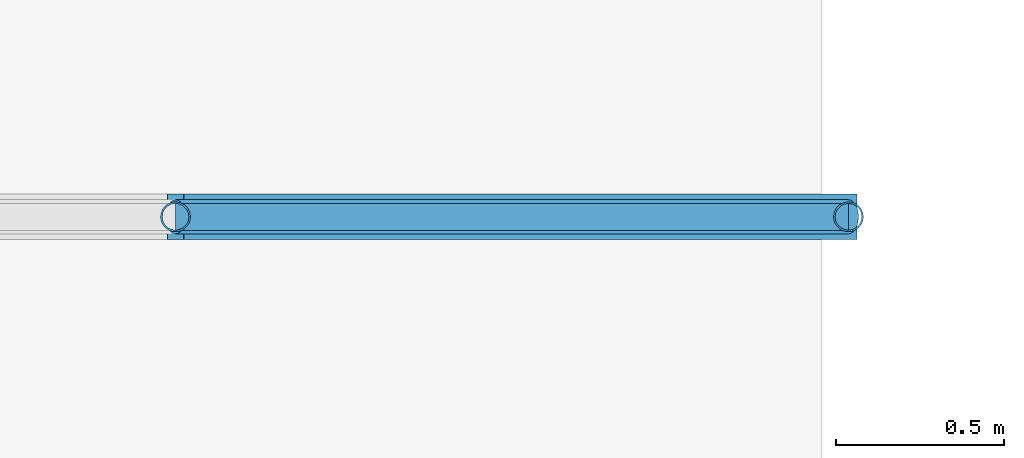
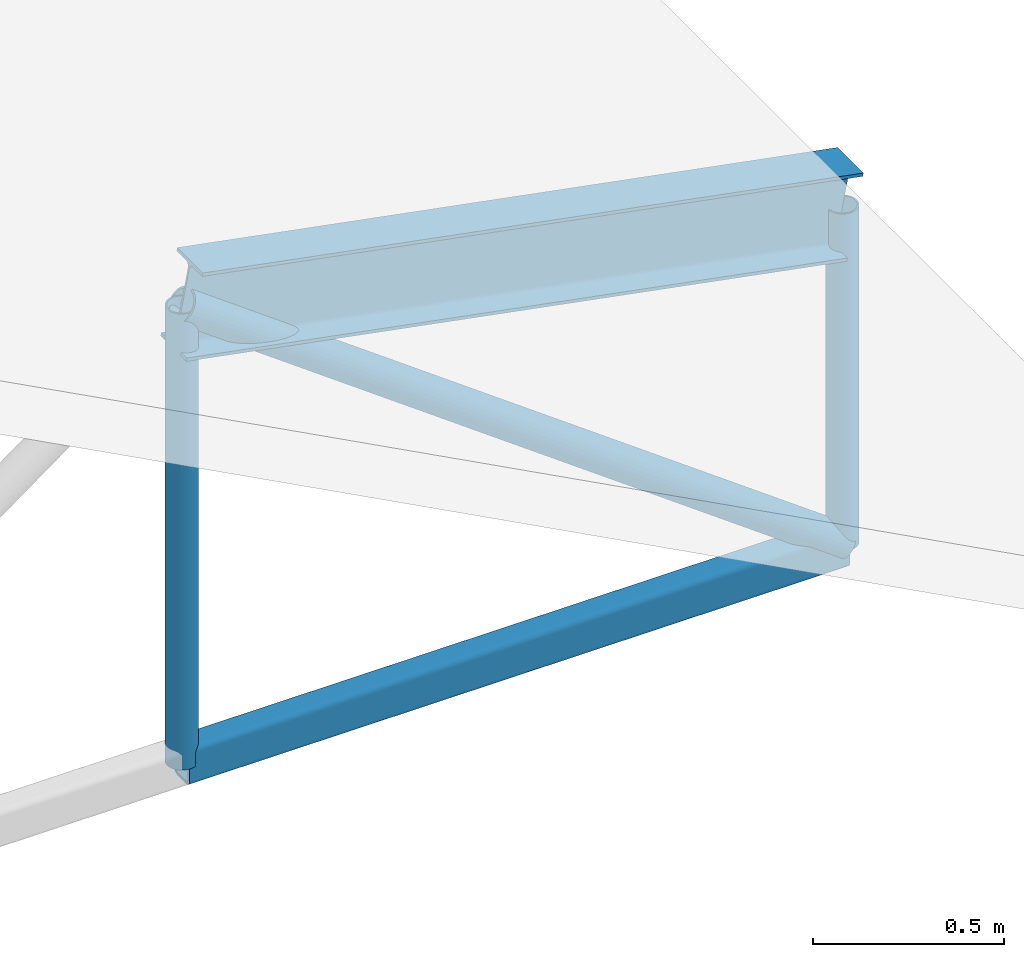
# One storey, part 26 of 54: 5 members.
"""IFC4 building model written with IfcOpenShell, lengths in metres."""

from ifc_helpers import new_model, si_unit, derived_unit, direction, frame, origin, origin_2d, place, context, subcontext, project, spatial, hollow_rectangle, hollow_circle, i_section, extrude, material, material_profile, profile_set, type_object, element, save


model = new_model("IFC4")

# Units and contexts
model_context = context("Model", 3, precision=1e-05, world=origin(), true_north=direction((0.0, 1.0)))
body_context = subcontext(model_context, "Body", "Model", "MODEL_VIEW")
ifc_project = project(units=[si_unit("LENGTHUNIT", "METRE"), si_unit("AREAUNIT", "SQUARE_METRE"), si_unit("VOLUMEUNIT", "CUBIC_METRE"), si_unit("PLANEANGLEUNIT", "RADIAN"), si_unit("MASSUNIT", "GRAM", prefix="KILO"), derived_unit("THERMALTRANSMITTANCEUNIT", [(si_unit("POWERUNIT", "WATT"), 1), (si_unit("LENGTHUNIT", "METRE"), -2), (si_unit("THERMODYNAMICTEMPERATUREUNIT", "KELVIN"), -1)])], contexts=[model_context])

# Site, building, storey
site_placement = place(None, origin())
site = spatial("IfcSite", under=ifc_project, at=site_placement, CompositionType="ELEMENT")
building_placement = place(site_placement, origin())
building = spatial("IfcBuilding", under=site, at=building_placement, Name="Keldorne Ridge Multi-Sports Centre", CompositionType="ELEMENT")
storey_placement = place(building_placement, frame((0.0, 0.0, 22.199951171875)))
storey = spatial("IfcBuildingStorey", under=building, at=storey_placement, Name="ROOF", CompositionType="ELEMENT", Elevation=22.199951171875)

# Members
ifc_material = material(Name="Steel S355", Category="steel")
ifc_material_profile_1 = material_profile(ifc_material, i_section(OverallWidth=0.135009765625, OverallDepth=0.27001953125, WebThickness=0.006591796875, FlangeThickness=0.01025390625, FilletRadius=0.014892578125, at=origin_2d()), Name="IPE 270")
ifc_profile_set_1 = profile_set([ifc_material_profile_1], Name="Steel S355")
member_type_1 = type_object("IfcMemberType", Name="MEM-RF-02", PredefinedType="RAFTER", material=ifc_profile_set_1)
member_1_placement = place(storey_placement, frame((94.0, 46.0, -12.260009765625), z_axis=(0.982435006317, 0.0, -0.186605086649), x_axis=(0.0, 1.0, 0.0)))
element("IfcMember", 1, at=member_1_placement, inside=storey, type_object=member_type_1, Name="Public Passage bowstring arch top chord 06.6", PredefinedType="RAFTER", context=body_context, shape_type="SweptSolid", body=[
    extrude(i_section(OverallWidth=0.135009765625, OverallDepth=0.27001953125, WebThickness=0.006591796875, FlangeThickness=0.01025390625, FilletRadius=0.014892578125, at=origin_2d()), origin(), (0.0, 0.0, 1.0), 2.03564453125),
])
ifc_material_profile_2 = material_profile(ifc_material, hollow_rectangle(XDim=0.080078125, YDim=0.1201171875, WallThickness=0.008056640625, InnerFilletRadius=0.008056640625, OuterFilletRadius=0.01611328125, at=origin_2d()), Name="RHS 120x80x8")
ifc_profile_set_2 = profile_set([ifc_material_profile_2], Name="Steel S355")
member_type_2 = type_object("IfcMemberType", Name="MEM-TC-07", PredefinedType="CHORD", material=ifc_profile_set_2)
member_2_placement = place(storey_placement, frame((94.0, 46.0, -13.719970703125), z_axis=(1.0, 0.0, 0.0), x_axis=(0.0, 1.0, 0.0)))
element("IfcMember", 2, at=member_2_placement, inside=storey, type_object=member_type_2, Name="Public Passage bowstring tie chord 06.6", PredefinedType="CHORD", context=body_context, shape_type="SweptSolid", body=[
    extrude(hollow_rectangle(XDim=0.080078125, YDim=0.1201171875, WallThickness=0.008056640625, InnerFilletRadius=0.008056640625, OuterFilletRadius=0.01611328125, at=origin_2d()), origin(), (0.0, 0.0, 1.0), 2.0),
])
ifc_material_profile_3 = material_profile(ifc_material, hollow_circle(Radius=0.05078125, WallThickness=0.00634765625, at=origin_2d()), Name="CHS 101.6x6.3")
ifc_profile_set_3 = profile_set([ifc_material_profile_3], Name="Steel S355")
member_type_3 = type_object("IfcMemberType", Name="MEM-TD-05", PredefinedType="BRACE", material=ifc_profile_set_3)
member_3_placement = place(storey_placement, frame((94.0, 46.0, -12.260009765625), z_axis=(0.8076945033, 0.0, -0.589601212125), x_axis=(0.0, 1.0, 0.0)))
element("IfcMember", 3, at=member_3_placement, inside=storey, type_object=member_type_3, Name="Public Passage bowstring web diagonal 06.6", PredefinedType="BRACE", context=body_context, shape_type="SweptSolid", body=[
    extrude(hollow_circle(Radius=0.05078125, WallThickness=0.00634765625, at=origin_2d()), origin(), (0.0, 0.0, 1.0), 2.47607421875),
])
ifc_material_profile_4 = material_profile(ifc_material, hollow_circle(Radius=0.04443359375, WallThickness=0.0048828125, at=origin_2d()), Name="CHS 88.9x5")
ifc_profile_set_4 = profile_set([ifc_material_profile_4], Name="Steel S355")
member_type_4 = type_object("IfcMemberType", Name="MEM-TV-07", PredefinedType="STRUT", material=ifc_profile_set_4)
member_4_placement = place(storey_placement, frame((94.0, 46.0, -13.719970703125), z_axis=(0.0, 0.0, 1.0), x_axis=(1.0, 0.0, 0.0)))
element("IfcMember", 4, at=member_4_placement, inside=storey, type_object=member_type_4, Name="Public Passage bowstring hanger 06.6", PredefinedType="STRUT", context=body_context, shape_type="SweptSolid", body=[
    extrude(hollow_circle(Radius=0.04443359375, WallThickness=0.0048828125, at=origin_2d()), origin(), (0.0, 0.0, 1.0), 1.4599609375),
])
member_5_placement = place(storey_placement, frame((96.0, 46.0, -13.719970703125), z_axis=(0.0, 0.0, 1.0), x_axis=(1.0, 0.0, 0.0)))
element("IfcMember", 5, at=member_5_placement, inside=storey, type_object=member_type_4, Name="Public Passage bowstring hanger 06.7", PredefinedType="STRUT", context=body_context, shape_type="SweptSolid", body=[
    extrude(hollow_circle(Radius=0.04443359375, WallThickness=0.0048828125, at=origin_2d()), origin(), (0.0, 0.0, 1.0), 1.080078125),
])

save(model, "model.ifc")
